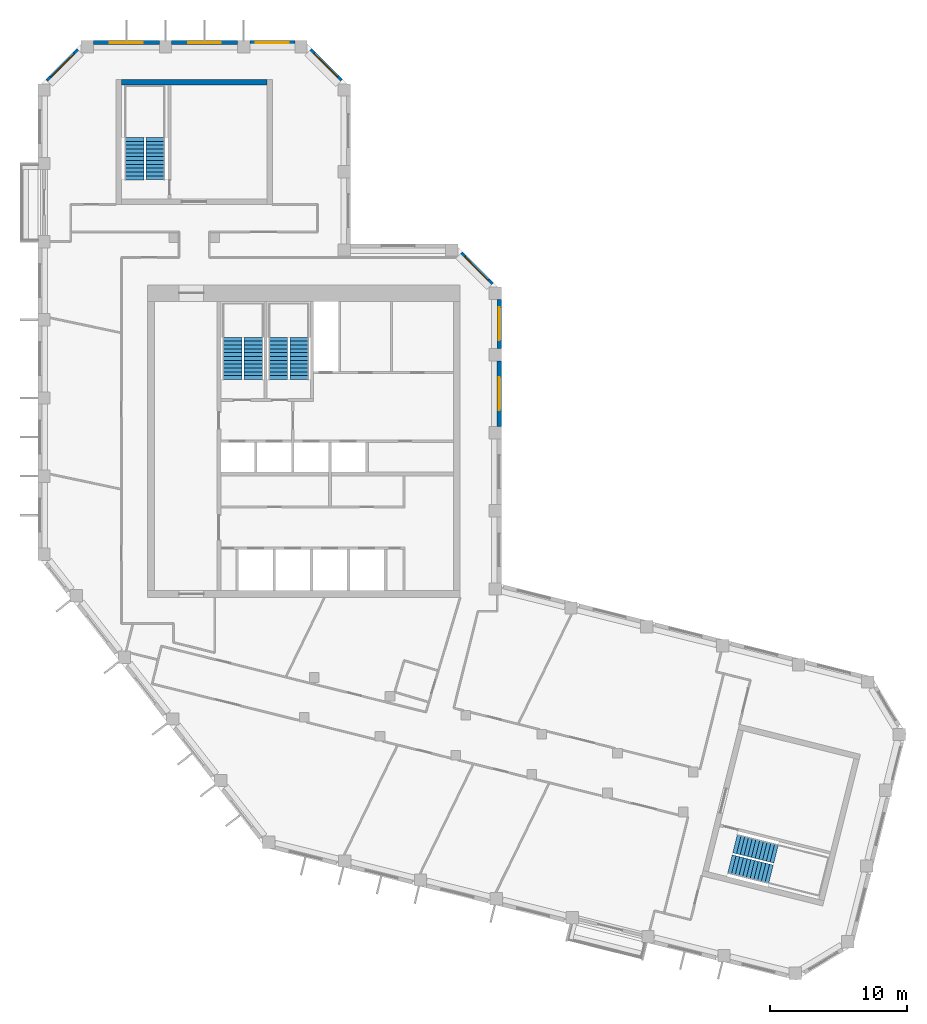
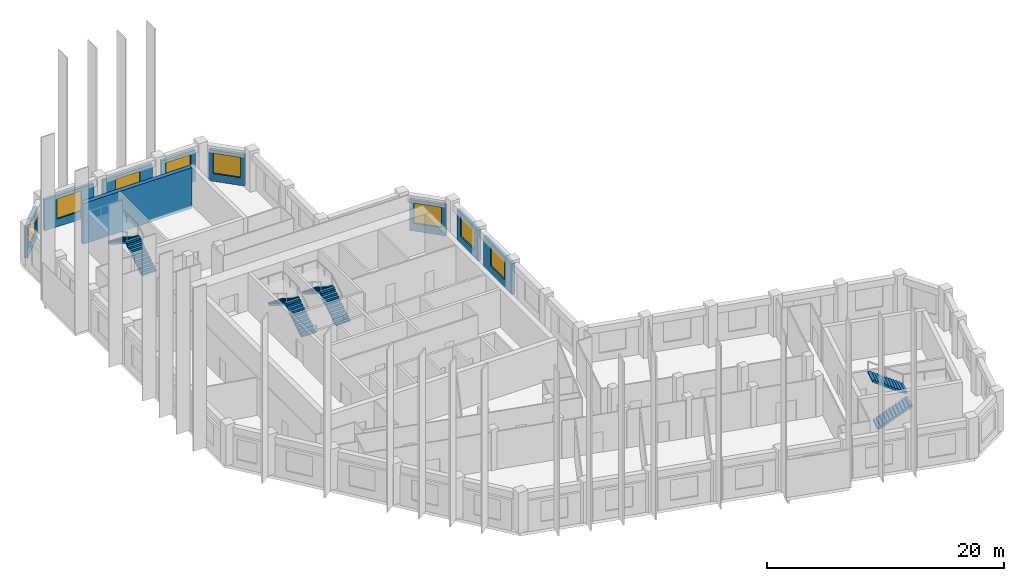
# One storey, part 7 of 8: 9 walls, 8 stair flights, 8 windows, 8 openings, 4 elements without a shape of their own.
"""IFC4 building model written with IfcOpenShell, lengths in metres."""

import ifcopenshell
import ifcopenshell.guid

model = None  # the IFC model being written
_history = None  # IfcOwnerHistory: only IFC2X3 demands one
_inside = {}  # id of a spatial element -> (the spatial element, [elements in it])
_under = {}  # id of a project, library or spatial element -> (it, [spatial elements below it])
_declared = {}  # id of a project -> (the project, [libraries it declares])
_typed = {}  # id of a type object -> (the type object, [elements of that type])
_made_of = {}  # id of a material, layer set ... -> (it, [elements and type objects made of it])


def new_model(schema):
    """Start an empty IFC model of exactly this schema.

    Asked for "IFC4X3", IfcOpenShell would pick the latest addendum, in which some entities
    have other attributes; the version numbers below select the first issue.
    IFC2X3 requires an IfcOwnerHistory on every rooted entity: one is made here for all.
    """
    global model, _history
    if schema == "IFC4X3":
        model = ifcopenshell.file(schema_version=(4, 3, 0, 0))
    else:
        model = ifcopenshell.file(schema=schema)
    _inside.clear()
    _under.clear()
    _declared.clear()
    _typed.clear()
    _made_of.clear()
    _history = None
    if model.schema == "IFC2X3":
        org = make("IfcOrganization", Name="unknown")
        user = make(
            "IfcPersonAndOrganization",
            ThePerson=make("IfcPerson", FamilyName="unknown"),
            TheOrganization=org,
        )
        app = make(
            "IfcApplication",
            ApplicationDeveloper=org,
            Version="unknown",
            ApplicationFullName="unknown",
            ApplicationIdentifier="unknown",
        )
        _history = make(
            "IfcOwnerHistory",
            OwningUser=user,
            OwningApplication=app,
            ChangeAction="ADDED",
            CreationDate=0,
        )
    return model


def make(cls, **values):
    """One entity of the class cls with the attributes given. An attribute that is None is left unset."""
    return model.create_entity(
        cls, **{name: value for name, value in values.items() if value is not None}
    )


def rooted(cls, **values):
    """An entity with a GlobalId (a new one), such as an element, a storey or a relation."""
    return make(cls, GlobalId=ifcopenshell.guid.new(), OwnerHistory=_history, **values)


def si_unit(unit_type, name, prefix=None):
    """IfcSIUnit, for example si_unit("LENGTHUNIT", "METRE", prefix="MILLI")."""
    return make("IfcSIUnit", UnitType=unit_type, Prefix=prefix, Name=name)


def assignment(units):
    """IfcUnitAssignment: the units of a project."""
    return None if units is None else make("IfcUnitAssignment", Units=units)


def point(xyz):
    """IfcCartesianPoint."""
    return None if xyz is None else make("IfcCartesianPoint", Coordinates=xyz)


def direction(xyz):
    """IfcDirection."""
    return None if xyz is None else make("IfcDirection", DirectionRatios=xyz)


def frame(location, z_axis=None, x_axis=None):
    """IfcAxis2Placement3D, a coordinate frame: its origin and axes. An axis left out is left unset."""
    return make(
        "IfcAxis2Placement3D",
        Location=point(location),
        Axis=direction(z_axis),
        RefDirection=direction(x_axis),
    )


def frame_2d(location, x_axis=None):
    """IfcAxis2Placement2D, a coordinate frame in the plane: its origin and x axis."""
    return make(
        "IfcAxis2Placement2D", Location=point(location), RefDirection=direction(x_axis)
    )


def origin():
    """The frame at (0, 0, 0) with its axes left unset."""
    return frame((0.0, 0.0, 0.0))


def place(relative_to, where):
    """IfcLocalPlacement: puts the frame where relative to a parent placement (None: the world)."""
    return make(
        "IfcLocalPlacement", PlacementRelTo=relative_to, RelativePlacement=where
    )


def context(
    kind, dimensions, precision=None, world=None, true_north=None, identifier=None
):
    """IfcGeometricRepresentationContext, for example the 3D "Model" context."""
    return make(
        "IfcGeometricRepresentationContext",
        ContextIdentifier=identifier,
        ContextType=kind,
        CoordinateSpaceDimension=dimensions,
        Precision=precision,
        WorldCoordinateSystem=world,
        TrueNorth=true_north,
    )


def subcontext(parent, identifier, kind, view, scale=None):
    """IfcGeometricRepresentationSubContext, for example "Body" below "Model"."""
    return make(
        "IfcGeometricRepresentationSubContext",
        ContextIdentifier=identifier,
        ContextType=kind,
        ParentContext=parent,
        TargetScale=scale,
        TargetView=view,
    )


def project(units=None, contexts=None):
    """IfcProject with its units and contexts."""
    return rooted(
        "IfcProject",
        Name="project",
        RepresentationContexts=contexts,
        UnitsInContext=assignment(units),
    )


def spatial(cls, under=None, at=None, **own):
    """A site, building, storey or space (cls), placed at a placement, below another one or the project."""
    s = rooted(cls, ObjectPlacement=at, **own)
    if under is not None:
        _under.setdefault(under.id(), (under, []))[1].append(s)
    return s


def polyline(points):
    """IfcPolyline through the points."""
    return make("IfcPolyline", Points=[point(p) for p in points])


def profile(cls, at=None, kind="AREA", **sizes):
    """A parametric profile (cls). Its sizes go by their IFC names, for example OverallWidth=200.0."""
    return make(cls, ProfileType=kind, Position=at, **sizes)


def rectangle(**sizes):
    """IfcRectangleProfileDef."""
    return profile("IfcRectangleProfileDef", **sizes)


def outline(outer, holes=None, kind="AREA"):
    """IfcArbitraryClosedProfileDef: a profile drawn as a closed curve; with holes, ...WithVoids."""
    if holes is None:
        return make("IfcArbitraryClosedProfileDef", ProfileType=kind, OuterCurve=outer)
    return make(
        "IfcArbitraryProfileDefWithVoids",
        ProfileType=kind,
        OuterCurve=outer,
        InnerCurves=holes,
    )


def extrude(swept, where, along, depth):
    """IfcExtrudedAreaSolid: the profile swept, set in the frame where, extruded along a direction by depth."""
    return make(
        "IfcExtrudedAreaSolid",
        SweptArea=swept,
        Position=where,
        ExtrudedDirection=direction(along),
        Depth=depth,
    )


def shape(context_of_items, identifier, shape_type, items):
    """IfcShapeRepresentation: the items that make up one representation, for example the "Body"."""
    return make(
        "IfcShapeRepresentation",
        ContextOfItems=context_of_items,
        RepresentationIdentifier=identifier,
        RepresentationType=shape_type,
        Items=items,
    )


def material(Name=None, Category=None):
    """IfcMaterial."""
    return make("IfcMaterial", Name=Name, Category=Category)


def layer(
    of_material, thickness, ventilated=None, Name=None, Category=None, Priority=None
):
    """IfcMaterialLayer: one layer of a wall or slab, of a material (None: an air gap)."""
    return make(
        "IfcMaterialLayer",
        Material=of_material,
        LayerThickness=thickness,
        IsVentilated=ventilated,
        Name=Name,
        Category=Category,
        Priority=Priority,
    )


def layer_set(layers, Name=None):
    """IfcMaterialLayerSet."""
    return make("IfcMaterialLayerSet", MaterialLayers=layers, LayerSetName=Name)


def made_of(thing, what):
    """Note that an element or type object is made of a material, layer set ...; save() writes the relation."""
    if what is not None:
        _made_of.setdefault(what.id(), (what, []))[1].append(thing)
    return thing


def type_object(cls, material=None, **own):
    """A type object (cls), such as IfcWallType, which elements share."""
    return made_of(rooted(cls, **own), material)


def element(
    cls,
    number,
    at=None,
    inside=None,
    cuts=None,
    type_object=None,
    material=None,
    context=None,
    identifier="Body",
    shape_type=None,
    held_by="IfcProductDefinitionShape",
    body=None,
    shapes=None,
    **own,
):
    """One element of the class cls, such as IfcWall. Its Tag is "e" and its number.

    at: its placement. inside: the storey or other place that contains it. cuts: it is an
    opening in that element (IfcRelVoidsElement). A single representation is given by context,
    identifier, shape_type and body (its items); several are given by shapes. held_by: the class
    of the entity that holds the representations. save() writes the other relations.
    """
    e = rooted(cls, Tag="e%d" % number, ObjectPlacement=at, **own)
    if body is not None:
        shapes = [shape(context, identifier, shape_type, body)]
    if shapes is not None:
        e.Representation = make(held_by, Representations=shapes)
    if inside is not None:
        _inside.setdefault(inside.id(), (inside, []))[1].append(e)
    if cuts is not None:
        rooted(
            "IfcRelVoidsElement", RelatingBuildingElement=cuts, RelatedOpeningElement=e
        )
    if type_object is not None:
        _typed.setdefault(type_object.id(), (type_object, []))[1].append(e)
    return made_of(e, material)


def fill(opening, filler):
    """IfcRelFillsElement: the door or window that sits in an opening."""
    return rooted(
        "IfcRelFillsElement",
        RelatingOpeningElement=opening,
        RelatedBuildingElement=filler,
    )


def aggregate(whole, parts):
    """IfcRelAggregates: a whole, such as a stair, and the parts it consists of."""
    return rooted("IfcRelAggregates", RelatingObject=whole, RelatedObjects=parts)


def save(model, path):
    """Write the relations noted so far, then the file.

    IfcRelAggregates (storeys below a building ...), IfcRelContainedInSpatialStructure (elements
    in a storey), IfcRelDefinesByType, IfcRelAssociatesMaterial and IfcRelDeclares: one each for
    every whole, place, type object, material and project.
    """
    for whole, parts in _under.values():
        aggregate(whole, parts)
    for where, things in _inside.values():
        rooted(
            "IfcRelContainedInSpatialStructure",
            RelatedElements=things,
            RelatingStructure=where,
        )
    for kind, things in _typed.values():
        rooted("IfcRelDefinesByType", RelatedObjects=things, RelatingType=kind)
    for what, things in _made_of.values():
        rooted("IfcRelAssociatesMaterial", RelatedObjects=things, RelatingMaterial=what)
    for by, libraries in _declared.values():
        rooted("IfcRelDeclares", RelatingContext=by, RelatedDefinitions=libraries)
    model.write(path)


model = new_model("IFC4")

# Units and contexts
model_context = context("Model", 3, precision=1e-05, world=origin(), true_north=direction((0.0, 1.0)))
body_context = subcontext(model_context, "Body", "Model", "MODEL_VIEW")
ifc_project = project(units=[si_unit("LENGTHUNIT", "METRE"), si_unit("AREAUNIT", "SQUARE_METRE"), si_unit("VOLUMEUNIT", "CUBIC_METRE"), si_unit("PLANEANGLEUNIT", "RADIAN"), si_unit("MASSUNIT", "GRAM", prefix="KILO")], contexts=[model_context])

# Site, building, storey
site_placement = place(None, origin())
site = spatial("IfcSite", under=ifc_project, at=site_placement, CompositionType="ELEMENT")
building_placement = place(site_placement, origin())
building = spatial("IfcBuilding", under=site, at=building_placement, Name="Meshkara Civic Tower", CompositionType="ELEMENT")
storey_placement = place(building_placement, frame((0.0, 0.0, 370.800048828125)))
storey = spatial("IfcBuildingStorey", under=building, at=storey_placement, Name="L85", CompositionType="ELEMENT", Elevation=370.800048828125)

# Wall, opening, window
ifc_material_1 = material(Name="Insulated infill panel with bronze anodised aluminium cladding", Category="aluminium")
ifc_layer_1 = layer(ifc_material_1, 0.300048828125)
ifc_layer_set_1 = layer_set([ifc_layer_1], Name="EXTERNAL INFILL WALL 300")
wall_type_1 = type_object("IfcWallType", Name="EXTERNAL INFILL WALL 300", PredefinedType="SOLIDWALL", material=ifc_layer_set_1)
wall_1_placement = place(storey_placement, frame((33.64990234375, 26.569091796875, 0.0), z_axis=(0.0, 0.0, 1.0), x_axis=(0.0, 1.0, 0.0)))
wall_1 = element("IfcWall", 1, at=wall_1_placement, inside=storey, type_object=wall_type_1, Name="External wall", PredefinedType="SOLIDWALL", context=body_context, shape_type="SweptSolid", body=[
    extrude(rectangle(XDim=4.7998046875, YDim=0.300048828125, at=frame_2d((2.39990234375, 0.0))), origin(), (0.0, 0.0, 1.0), 3.199951171875),
])
opening_1_placement = place(wall_1_placement, frame((1.199951171875, 0.0, 0.800048828125)))
opening_1 = element("IfcOpeningElement", 2, at=opening_1_placement, cuts=wall_1, Name="Opening W7", PredefinedType="OPENING", context=body_context, shape_type="SweptSolid", body=[
    extrude(rectangle(XDim=2.39990234375, YDim=2.10009765625, at=frame_2d((1.199951171875, 1.050048828125))), frame((0.0, 0.159912109375, 0.0), z_axis=(0.0, -1.0, 0.0), x_axis=(1.0, 0.0, 0.0)), (0.0, 0.0, 1.0), 0.320068359375),
])
ifc_material_2 = material(Name="Tinted double glazing", Category="glass")
window_type = type_object("IfcWindowType", Name="WINDOW 2400x2100", PartitioningType="DOUBLE_PANEL_VERTICAL", PredefinedType="WINDOW", material=ifc_material_2)
window_1_placement = place(opening_1_placement, origin())
window_1 = element("IfcWindow", 3, at=window_1_placement, inside=storey, type_object=window_type, Name="Window", OverallHeight=2.10009765625, OverallWidth=2.39990234375, PartitioningType="DOUBLE_PANEL_VERTICAL", PredefinedType="WINDOW", context=body_context, shape_type="SweptSolid", body=[
    extrude(rectangle(XDim=2.39990234375, YDim=2.10009765625, at=frame_2d((1.199951171875, 1.050048828125))), frame((0.0, 0.030029296875, 0.0), z_axis=(0.0, -1.0, 0.0), x_axis=(1.0, 0.0, 0.0)), (0.0, 0.0, 1.0), 0.06005859375),
])
fill(opening_1, window_1)

wall_2_placement = place(storey_placement, frame((33.64990234375, 32.26904296875, 0.0), z_axis=(0.0, 0.0, 1.0), x_axis=(0.0, 1.0, 0.0)))
wall_2 = element("IfcWall", 4, at=wall_2_placement, inside=storey, type_object=wall_type_1, Name="External wall", PredefinedType="SOLIDWALL", context=body_context, shape_type="SweptSolid", body=[
    extrude(rectangle(XDim=3.574951171875, YDim=0.300048828125, at=frame_2d((1.78759765625, 0.0))), origin(), (0.0, 0.0, 1.0), 3.199951171875),
])
opening_2_placement = place(wall_2_placement, frame((0.587890625, 0.0, 0.800048828125)))
opening_2 = element("IfcOpeningElement", 5, at=opening_2_placement, cuts=wall_2, Name="Opening W7", PredefinedType="OPENING", context=body_context, shape_type="SweptSolid", body=[
    extrude(rectangle(XDim=2.39990234375, YDim=2.10009765625, at=frame_2d((1.199951171875, 1.050048828125))), frame((0.0, 0.159912109375, 0.0), z_axis=(0.0, -1.0, 0.0), x_axis=(1.0, 0.0, 0.0)), (0.0, 0.0, 1.0), 0.320068359375),
])
window_2_placement = place(opening_2_placement, origin())
window_2 = element("IfcWindow", 6, at=window_2_placement, inside=storey, type_object=window_type, Name="Window", OverallHeight=2.10009765625, OverallWidth=2.39990234375, PartitioningType="DOUBLE_PANEL_VERTICAL", PredefinedType="WINDOW", context=body_context, shape_type="SweptSolid", body=[
    extrude(rectangle(XDim=2.39990234375, YDim=2.10009765625, at=frame_2d((1.199951171875, 1.050048828125))), frame((0.0, 0.030029296875, 0.0), z_axis=(0.0, -1.0, 0.0), x_axis=(1.0, 0.0, 0.0)), (0.0, 0.0, 1.0), 0.06005859375),
])
fill(opening_2, window_2)

wall_3_placement = place(storey_placement, frame((33.112060546875, 36.9560546875, 0.0), z_axis=(0.0, 0.0, 1.0), x_axis=(-0.707145041435, 0.707068518868, 0.0)))
wall_3 = element("IfcWall", 7, at=wall_3_placement, inside=storey, type_object=wall_type_1, Name="External wall", PredefinedType="SOLIDWALL", context=body_context, shape_type="SweptSolid", body=[
    extrude(rectangle(XDim=3.1904296875, YDim=0.300048828125, at=frame_2d((1.59521484375, 0.0))), origin(), (0.0, 0.0, 1.0), 3.199951171875),
])
opening_3_placement = place(wall_3_placement, frame((0.39501953125, 0.0, 0.800048828125)))
opening_3 = element("IfcOpeningElement", 8, at=opening_3_placement, cuts=wall_3, Name="Opening W7", PredefinedType="OPENING", context=body_context, shape_type="SweptSolid", body=[
    extrude(rectangle(XDim=2.39990234375, YDim=2.10009765625, at=frame_2d((1.199951171875, 1.050048828125))), frame((0.0, 0.159912109375, 0.0), z_axis=(0.0, -1.0, 0.0), x_axis=(1.0, 0.0, 0.0)), (0.0, 0.0, 1.0), 0.320068359375),
])
window_3_placement = place(opening_3_placement, origin())
window_3 = element("IfcWindow", 9, at=window_3_placement, inside=storey, type_object=window_type, Name="Window", OverallHeight=2.10009765625, OverallWidth=2.39990234375, PartitioningType="DOUBLE_PANEL_VERTICAL", PredefinedType="WINDOW", context=body_context, shape_type="SweptSolid", body=[
    extrude(rectangle(XDim=2.39990234375, YDim=2.10009765625, at=frame_2d((1.199951171875, 1.050048828125))), frame((0.0, 0.030029296875, 0.0), z_axis=(0.0, -1.0, 0.0), x_axis=(1.0, 0.0, 0.0)), (0.0, 0.0, 1.0), 0.06005859375),
])
fill(opening_3, window_3)

wall_4_placement = place(storey_placement, frame((22.112060546875, 51.77587890625, 0.0), z_axis=(0.0, 0.0, 1.0), x_axis=(-0.707106781187, 0.707106781187, 0.0)))
wall_4 = element("IfcWall", 10, at=wall_4_placement, inside=storey, type_object=wall_type_1, Name="External wall", PredefinedType="SOLIDWALL", context=body_context, shape_type="SweptSolid", body=[
    extrude(rectangle(XDim=3.190673828125, YDim=0.300048828125, at=frame_2d((1.59521484375, 0.0))), origin(), (0.0, 0.0, 1.0), 3.199951171875),
])
opening_4_placement = place(wall_4_placement, frame((0.39501953125, 0.0, 0.800048828125)))
opening_4 = element("IfcOpeningElement", 11, at=opening_4_placement, cuts=wall_4, Name="Opening W7", PredefinedType="OPENING", context=body_context, shape_type="SweptSolid", body=[
    extrude(rectangle(XDim=2.39990234375, YDim=2.10009765625, at=frame_2d((1.199951171875, 1.050048828125))), frame((0.0, 0.159912109375, 0.0), z_axis=(0.0, -1.0, 0.0), x_axis=(1.0, 0.0, 0.0)), (0.0, 0.0, 1.0), 0.320068359375),
])
window_4_placement = place(opening_4_placement, origin())
window_4 = element("IfcWindow", 12, at=window_4_placement, inside=storey, type_object=window_type, Name="Window", OverallHeight=2.10009765625, OverallWidth=2.39990234375, PartitioningType="DOUBLE_PANEL_VERTICAL", PredefinedType="WINDOW", context=body_context, shape_type="SweptSolid", body=[
    extrude(rectangle(XDim=2.39990234375, YDim=2.10009765625, at=frame_2d((1.199951171875, 1.050048828125))), frame((0.0, 0.030029296875, 0.0), z_axis=(0.0, -1.0, 0.0), x_axis=(1.0, 0.0, 0.0)), (0.0, 0.0, 1.0), 0.06005859375),
])
fill(opening_4, window_4)

wall_5_placement = place(storey_placement, frame((18.743896484375, 54.570068359375, 0.0), z_axis=(0.0, 0.0, 1.0), x_axis=(-1.0, 0.0, 0.0)))
wall_5 = element("IfcWall", 13, at=wall_5_placement, inside=storey, type_object=wall_type_1, Name="External wall", PredefinedType="SOLIDWALL", context=body_context, shape_type="SweptSolid", body=[
    extrude(rectangle(XDim=3.287841796875, YDim=0.300048828125, at=frame_2d((1.64404296875, 0.0))), origin(), (0.0, 0.0, 1.0), 3.199951171875),
])
opening_5_placement = place(wall_5_placement, frame((0.444091796875, 0.0, 0.800048828125)))
opening_5 = element("IfcOpeningElement", 14, at=opening_5_placement, cuts=wall_5, Name="Opening W7", PredefinedType="OPENING", context=body_context, shape_type="SweptSolid", body=[
    extrude(rectangle(XDim=2.39990234375, YDim=2.10009765625, at=frame_2d((1.199951171875, 1.050048828125))), frame((0.0, 0.159912109375, 0.0), z_axis=(0.0, -1.0, 0.0), x_axis=(1.0, 0.0, 0.0)), (0.0, 0.0, 1.0), 0.320068359375),
])
window_5_placement = place(opening_5_placement, origin())
window_5 = element("IfcWindow", 15, at=window_5_placement, inside=storey, type_object=window_type, Name="Window", OverallHeight=2.10009765625, OverallWidth=2.39990234375, PartitioningType="DOUBLE_PANEL_VERTICAL", PredefinedType="WINDOW", context=body_context, shape_type="SweptSolid", body=[
    extrude(rectangle(XDim=2.39990234375, YDim=2.10009765625, at=frame_2d((1.199951171875, 1.050048828125))), frame((0.0, 0.030029296875, 0.0), z_axis=(0.0, -1.0, 0.0), x_axis=(1.0, 0.0, 0.0)), (0.0, 0.0, 1.0), 0.06005859375),
])
fill(opening_5, window_5)

wall_6_placement = place(storey_placement, frame((14.555908203125, 54.570068359375, 0.0), z_axis=(0.0, 0.0, 1.0), x_axis=(-1.0, 0.0, 0.0)))
wall_6 = element("IfcWall", 16, at=wall_6_placement, inside=storey, type_object=wall_type_1, Name="External wall", PredefinedType="SOLIDWALL", context=body_context, shape_type="SweptSolid", body=[
    extrude(rectangle(XDim=4.7998046875, YDim=0.300048828125, at=frame_2d((2.39990234375, 0.0))), origin(), (0.0, 0.0, 1.0), 3.199951171875),
])
opening_6_placement = place(wall_6_placement, frame((1.199951171875, 0.0, 0.800048828125)))
opening_6 = element("IfcOpeningElement", 17, at=opening_6_placement, cuts=wall_6, Name="Opening W7", PredefinedType="OPENING", context=body_context, shape_type="SweptSolid", body=[
    extrude(rectangle(XDim=2.39990234375, YDim=2.10009765625, at=frame_2d((1.199951171875, 1.050048828125))), frame((0.0, 0.159912109375, 0.0), z_axis=(0.0, -1.0, 0.0), x_axis=(1.0, 0.0, 0.0)), (0.0, 0.0, 1.0), 0.320068359375),
])
window_6_placement = place(opening_6_placement, origin())
window_6 = element("IfcWindow", 18, at=window_6_placement, inside=storey, type_object=window_type, Name="Window", OverallHeight=2.10009765625, OverallWidth=2.39990234375, PartitioningType="DOUBLE_PANEL_VERTICAL", PredefinedType="WINDOW", context=body_context, shape_type="SweptSolid", body=[
    extrude(rectangle(XDim=2.39990234375, YDim=2.10009765625, at=frame_2d((1.199951171875, 1.050048828125))), frame((0.0, 0.030029296875, 0.0), z_axis=(0.0, -1.0, 0.0), x_axis=(1.0, 0.0, 0.0)), (0.0, 0.0, 1.0), 0.06005859375),
])
fill(opening_6, window_6)

wall_7_placement = place(storey_placement, frame((8.85595703125, 54.570068359375, 0.0), z_axis=(0.0, 0.0, 1.0), x_axis=(-1.0, 0.0, 0.0)))
wall_7 = element("IfcWall", 19, at=wall_7_placement, inside=storey, type_object=wall_type_1, Name="External wall", PredefinedType="SOLIDWALL", context=body_context, shape_type="SweptSolid", body=[
    extrude(rectangle(XDim=4.800048828125, YDim=0.300048828125, at=frame_2d((2.39990234375, 0.0))), origin(), (0.0, 0.0, 1.0), 3.199951171875),
])
opening_7_placement = place(wall_7_placement, frame((1.199951171875, 0.0, 0.800048828125)))
opening_7 = element("IfcOpeningElement", 20, at=opening_7_placement, cuts=wall_7, Name="Opening W7", PredefinedType="OPENING", context=body_context, shape_type="SweptSolid", body=[
    extrude(rectangle(XDim=2.39990234375, YDim=2.10009765625, at=frame_2d((1.199951171875, 1.050048828125))), frame((0.0, 0.159912109375, 0.0), z_axis=(0.0, -1.0, 0.0), x_axis=(1.0, 0.0, 0.0)), (0.0, 0.0, 1.0), 0.320068359375),
])
window_7_placement = place(opening_7_placement, origin())
window_7 = element("IfcWindow", 21, at=window_7_placement, inside=storey, type_object=window_type, Name="Window", OverallHeight=2.10009765625, OverallWidth=2.39990234375, PartitioningType="DOUBLE_PANEL_VERTICAL", PredefinedType="WINDOW", context=body_context, shape_type="SweptSolid", body=[
    extrude(rectangle(XDim=2.39990234375, YDim=2.10009765625, at=frame_2d((1.199951171875, 1.050048828125))), frame((0.0, 0.030029296875, 0.0), z_axis=(0.0, -1.0, 0.0), x_axis=(1.0, 0.0, 0.0)), (0.0, 0.0, 1.0), 0.06005859375),
])
fill(opening_7, window_7)

wall_8_placement = place(storey_placement, frame((2.944091796875, 54.031982421875, 0.0), z_axis=(0.0, 0.0, 1.0), x_axis=(-0.707106781187, -0.707106781187, 0.0)))
wall_8 = element("IfcWall", 22, at=wall_8_placement, inside=storey, type_object=wall_type_1, Name="External wall", PredefinedType="SOLIDWALL", context=body_context, shape_type="SweptSolid", body=[
    extrude(rectangle(XDim=3.190673828125, YDim=0.300048828125, at=frame_2d((1.59521484375, 0.0))), origin(), (0.0, 0.0, 1.0), 3.199951171875),
])
opening_8_placement = place(wall_8_placement, frame((0.39501953125, 0.0, 0.800048828125)))
opening_8 = element("IfcOpeningElement", 23, at=opening_8_placement, cuts=wall_8, Name="Opening W7", PredefinedType="OPENING", context=body_context, shape_type="SweptSolid", body=[
    extrude(rectangle(XDim=2.39990234375, YDim=2.10009765625, at=frame_2d((1.199951171875, 1.050048828125))), frame((0.0, 0.159912109375, 0.0), z_axis=(0.0, -1.0, 0.0), x_axis=(1.0, 0.0, 0.0)), (0.0, 0.0, 1.0), 0.320068359375),
])
window_8_placement = place(opening_8_placement, origin())
window_8 = element("IfcWindow", 24, at=window_8_placement, inside=storey, type_object=window_type, Name="Window", OverallHeight=2.10009765625, OverallWidth=2.39990234375, PartitioningType="DOUBLE_PANEL_VERTICAL", PredefinedType="WINDOW", context=body_context, shape_type="SweptSolid", body=[
    extrude(rectangle(XDim=2.39990234375, YDim=2.10009765625, at=frame_2d((1.199951171875, 1.050048828125))), frame((0.0, 0.030029296875, 0.0), z_axis=(0.0, -1.0, 0.0), x_axis=(1.0, 0.0, 0.0)), (0.0, 0.0, 1.0), 0.06005859375),
])
fill(opening_8, window_8)

# Wall
ifc_material_3 = material(Name="Concrete C50", Category="concrete")
ifc_layer_2 = layer(ifc_material_3, 0.39990234375)
ifc_layer_set_2 = layer_set([ifc_layer_2], Name="End core ring wall 400 C50")
wall_type_2 = type_object("IfcWallType", Name="End core ring wall 400 C50", PredefinedType="SHEAR", material=ifc_layer_set_2)
wall_9_placement = place(storey_placement, frame((6.10009765625, 51.669921875, -0.300048828125), z_axis=(0.0, 0.0, 1.0), x_axis=(1.0, 0.0, 0.0)))
element("IfcWall", 25, at=wall_9_placement, inside=storey, type_object=wall_type_2, Name="L85-C030", PredefinedType="SHEAR", context=body_context, shape_type="SweptSolid", body=[
    extrude(rectangle(XDim=10.599853515625, YDim=0.39990234375, at=frame_2d((5.2998046875, 0.0))), origin(), (0.0, 0.0, 1.0), 4.199951171875),
])

# Stair, stair flights
ifc_material_4 = material(Name="Precast concrete C40/50", Category="concrete")
stair_type = type_object("IfcStairType", Name="Exit stair half-turn 24 risers precast", PredefinedType="HALF_TURN_STAIR", material=ifc_material_4)
stair_1_placement = place(storey_placement, origin())
stair_1 = element("IfcStair", 26, at=stair_1_placement, inside=storey, type_object=stair_type, Name="L85 exit stair 1", PredefinedType="HALF_TURN_STAIR")
ifc_material_5 = material(Name="Precast concrete C40/50", Category="concrete")
stair_flight_type = type_object("IfcStairFlightType", Name="Exit stair flight 12 risers precast", PredefinedType="STRAIGHT", material=ifc_material_5)
stair_flight_1_placement = place(storey_placement, frame((15.72509765625, 30.0, 0.0), z_axis=(0.0, 0.0, 1.0), x_axis=(0.0, 1.0, 0.0)))
stair_flight_1 = element("IfcStairFlight", 27, at=stair_flight_1_placement, type_object=stair_flight_type, Name="ST1 flight 1", NumberOfRisers=12, NumberOfTreads=11, PredefinedType="STRAIGHT", RiserHeight=0.175, TreadLength=0.28, context=body_context, shape_type="SweptSolid", body=[
    extrude(outline(polyline([(0.0, 0.0), (0.0, 0.175048828125), (0.280029296875, 0.175048828125), (0.280029296875, 0.35009765625), (0.56005859375, 0.35009765625), (0.56005859375, 0.52490234375), (0.840087890625, 0.52490234375), (0.840087890625, 0.699951171875), (1.1201171875, 0.699951171875), (1.1201171875, 0.875), (1.39990234375, 0.875), (1.39990234375, 1.050048828125), (1.679931640625, 1.050048828125), (1.679931640625, 1.22509765625), (1.9599609375, 1.22509765625), (1.9599609375, 1.39990234375), (2.239990234375, 1.39990234375), (2.239990234375, 1.574951171875), (2.52001953125, 1.574951171875), (2.52001953125, 1.75), (2.800048828125, 1.75), (2.800048828125, 1.925048828125), (3.080078125, 1.925048828125), (3.080078125, 2.10009765625), (3.080078125, 1.748291015625), (0.28271484375, 0.0), (0.0, 0.0)])), frame((0.0, 0.699951171875, 0.0), z_axis=(0.0, -1.0, 0.0), x_axis=(1.0, 0.0, 0.0)), (0.0, 0.0, 1.0), 1.39990234375),
])
stair_flight_2_placement = place(storey_placement, frame((14.175048828125, 33.080078125, 2.099853515625), z_axis=(0.0, 0.0, 1.0), x_axis=(0.0, -1.0, 0.0)))
stair_flight_2 = element("IfcStairFlight", 28, at=stair_flight_2_placement, type_object=stair_flight_type, Name="ST1 flight 2", NumberOfRisers=12, NumberOfTreads=11, PredefinedType="STRAIGHT", RiserHeight=0.175, TreadLength=0.28, context=body_context, shape_type="SweptSolid", body=[
    extrude(outline(polyline([(0.0, 0.0), (0.0, 0.175048828125), (0.280029296875, 0.175048828125), (0.280029296875, 0.35009765625), (0.56005859375, 0.35009765625), (0.56005859375, 0.52490234375), (0.840087890625, 0.52490234375), (0.840087890625, 0.699951171875), (1.1201171875, 0.699951171875), (1.1201171875, 0.875), (1.39990234375, 0.875), (1.39990234375, 1.050048828125), (1.679931640625, 1.050048828125), (1.679931640625, 1.22509765625), (1.9599609375, 1.22509765625), (1.9599609375, 1.39990234375), (2.239990234375, 1.39990234375), (2.239990234375, 1.574951171875), (2.52001953125, 1.574951171875), (2.52001953125, 1.75), (2.800048828125, 1.75), (2.800048828125, 1.925048828125), (3.080078125, 1.925048828125), (3.080078125, 2.10009765625), (3.080078125, 1.748291015625), (0.28271484375, 0.0), (0.0, 0.0)])), frame((0.0, 0.699951171875, 0.0), z_axis=(0.0, -1.0, 0.0), x_axis=(1.0, 0.0, 0.0)), (0.0, 0.0, 1.0), 1.39990234375),
])
aggregate(stair_1, [stair_flight_1, stair_flight_2])

stair_2_placement = place(storey_placement, origin())
stair_2 = element("IfcStair", 29, at=stair_2_placement, inside=storey, type_object=stair_type, Name="L85 exit stair 2", PredefinedType="HALF_TURN_STAIR")
stair_flight_3_placement = place(storey_placement, frame((19.074951171875, 30.0, 0.0), z_axis=(0.0, 0.0, 1.0), x_axis=(0.0, 1.0, 0.0)))
stair_flight_3 = element("IfcStairFlight", 30, at=stair_flight_3_placement, type_object=stair_flight_type, Name="ST2 flight 1", NumberOfRisers=12, NumberOfTreads=11, PredefinedType="STRAIGHT", RiserHeight=0.175, TreadLength=0.28, context=body_context, shape_type="SweptSolid", body=[
    extrude(outline(polyline([(0.0, 0.0), (0.0, 0.175048828125), (0.280029296875, 0.175048828125), (0.280029296875, 0.35009765625), (0.56005859375, 0.35009765625), (0.56005859375, 0.52490234375), (0.840087890625, 0.52490234375), (0.840087890625, 0.699951171875), (1.1201171875, 0.699951171875), (1.1201171875, 0.875), (1.39990234375, 0.875), (1.39990234375, 1.050048828125), (1.679931640625, 1.050048828125), (1.679931640625, 1.22509765625), (1.9599609375, 1.22509765625), (1.9599609375, 1.39990234375), (2.239990234375, 1.39990234375), (2.239990234375, 1.574951171875), (2.52001953125, 1.574951171875), (2.52001953125, 1.75), (2.800048828125, 1.75), (2.800048828125, 1.925048828125), (3.080078125, 1.925048828125), (3.080078125, 2.10009765625), (3.080078125, 1.748291015625), (0.28271484375, 0.0), (0.0, 0.0)])), frame((0.0, 0.699951171875, 0.0), z_axis=(0.0, -1.0, 0.0), x_axis=(1.0, 0.0, 0.0)), (0.0, 0.0, 1.0), 1.39990234375),
])
stair_flight_4_placement = place(storey_placement, frame((17.52490234375, 33.080078125, 2.099853515625), z_axis=(0.0, 0.0, 1.0), x_axis=(0.0, -1.0, 0.0)))
stair_flight_4 = element("IfcStairFlight", 31, at=stair_flight_4_placement, type_object=stair_flight_type, Name="ST2 flight 2", NumberOfRisers=12, NumberOfTreads=11, PredefinedType="STRAIGHT", RiserHeight=0.175, TreadLength=0.28, context=body_context, shape_type="SweptSolid", body=[
    extrude(outline(polyline([(0.0, 0.0), (0.0, 0.175048828125), (0.280029296875, 0.175048828125), (0.280029296875, 0.35009765625), (0.56005859375, 0.35009765625), (0.56005859375, 0.52490234375), (0.840087890625, 0.52490234375), (0.840087890625, 0.699951171875), (1.1201171875, 0.699951171875), (1.1201171875, 0.875), (1.39990234375, 0.875), (1.39990234375, 1.050048828125), (1.679931640625, 1.050048828125), (1.679931640625, 1.22509765625), (1.9599609375, 1.22509765625), (1.9599609375, 1.39990234375), (2.239990234375, 1.39990234375), (2.239990234375, 1.574951171875), (2.52001953125, 1.574951171875), (2.52001953125, 1.75), (2.800048828125, 1.75), (2.800048828125, 1.925048828125), (3.080078125, 1.925048828125), (3.080078125, 2.10009765625), (3.080078125, 1.748291015625), (0.28271484375, 0.0), (0.0, 0.0)])), frame((0.0, 0.699951171875, 0.0), z_axis=(0.0, -1.0, 0.0), x_axis=(1.0, 0.0, 0.0)), (0.0, 0.0, 1.0), 1.39990234375),
])
aggregate(stair_2, [stair_flight_3, stair_flight_4])

stair_3_placement = place(storey_placement, origin())
stair_3 = element("IfcStair", 32, at=stair_3_placement, inside=storey, type_object=stair_type, Name="L85 exit stair A from L80", PredefinedType="HALF_TURN_STAIR")
stair_flight_5_placement = place(storey_placement, frame((8.574951171875, 44.570068359375, 0.0), z_axis=(0.0, 0.0, 1.0), x_axis=(0.0, 1.0, 0.0)))
stair_flight_5 = element("IfcStairFlight", 33, at=stair_flight_5_placement, type_object=stair_flight_type, Name="ESA6 flight 1", NumberOfRisers=12, NumberOfTreads=11, PredefinedType="STRAIGHT", RiserHeight=0.175, TreadLength=0.28, context=body_context, shape_type="SweptSolid", body=[
    extrude(outline(polyline([(0.0, 0.0), (0.0, 0.175048828125), (0.280029296875, 0.175048828125), (0.280029296875, 0.35009765625), (0.56005859375, 0.35009765625), (0.56005859375, 0.52490234375), (0.840087890625, 0.52490234375), (0.840087890625, 0.699951171875), (1.1201171875, 0.699951171875), (1.1201171875, 0.875), (1.39990234375, 0.875), (1.39990234375, 1.050048828125), (1.679931640625, 1.050048828125), (1.679931640625, 1.22509765625), (1.9599609375, 1.22509765625), (1.9599609375, 1.39990234375), (2.239990234375, 1.39990234375), (2.239990234375, 1.574951171875), (2.52001953125, 1.574951171875), (2.52001953125, 1.75), (2.800048828125, 1.75), (2.800048828125, 1.925048828125), (3.080078125, 1.925048828125), (3.080078125, 2.10009765625), (3.080078125, 1.748291015625), (0.28271484375, 0.0), (0.0, 0.0)])), frame((0.0, 0.699951171875, 0.0), z_axis=(0.0, -1.0, 0.0), x_axis=(1.0, 0.0, 0.0)), (0.0, 0.0, 1.0), 1.39990234375),
])
stair_flight_6_placement = place(storey_placement, frame((7.02490234375, 47.64990234375, 2.099853515625), z_axis=(0.0, 0.0, 1.0), x_axis=(0.0, -1.0, 0.0)))
stair_flight_6 = element("IfcStairFlight", 34, at=stair_flight_6_placement, type_object=stair_flight_type, Name="ESA6 flight 2", NumberOfRisers=12, NumberOfTreads=11, PredefinedType="STRAIGHT", RiserHeight=0.175, TreadLength=0.28, context=body_context, shape_type="SweptSolid", body=[
    extrude(outline(polyline([(0.0, 0.0), (0.0, 0.175048828125), (0.280029296875, 0.175048828125), (0.280029296875, 0.35009765625), (0.56005859375, 0.35009765625), (0.56005859375, 0.52490234375), (0.840087890625, 0.52490234375), (0.840087890625, 0.699951171875), (1.1201171875, 0.699951171875), (1.1201171875, 0.875), (1.39990234375, 0.875), (1.39990234375, 1.050048828125), (1.679931640625, 1.050048828125), (1.679931640625, 1.22509765625), (1.9599609375, 1.22509765625), (1.9599609375, 1.39990234375), (2.239990234375, 1.39990234375), (2.239990234375, 1.574951171875), (2.52001953125, 1.574951171875), (2.52001953125, 1.75), (2.800048828125, 1.75), (2.800048828125, 1.925048828125), (3.080078125, 1.925048828125), (3.080078125, 2.10009765625), (3.080078125, 1.748291015625), (0.28271484375, 0.0), (0.0, 0.0)])), frame((0.0, 0.699951171875, 0.0), z_axis=(0.0, -1.0, 0.0), x_axis=(1.0, 0.0, 0.0)), (0.0, 0.0, 1.0), 1.39990234375),
])
aggregate(stair_3, [stair_flight_5, stair_flight_6])

stair_4_placement = place(storey_placement, origin())
stair_4 = element("IfcStair", 35, at=stair_4_placement, inside=storey, type_object=stair_type, Name="L85 exit stair B from L80", PredefinedType="HALF_TURN_STAIR")
stair_flight_7_placement = place(storey_placement, frame((50.47607421875, -5.344482421875, 0.0), z_axis=(0.0, 0.0, 1.0), x_axis=(0.9703185901, -0.241830175344, 0.0)))
stair_flight_7 = element("IfcStairFlight", 36, at=stair_flight_7_placement, type_object=stair_flight_type, Name="ESB6 flight 1", NumberOfRisers=12, NumberOfTreads=11, PredefinedType="STRAIGHT", RiserHeight=0.175, TreadLength=0.28, context=body_context, shape_type="SweptSolid", body=[
    extrude(outline(polyline([(0.0, 0.0), (0.0, 0.175048828125), (0.280029296875, 0.175048828125), (0.280029296875, 0.35009765625), (0.56005859375, 0.35009765625), (0.56005859375, 0.52490234375), (0.840087890625, 0.52490234375), (0.840087890625, 0.699951171875), (1.1201171875, 0.699951171875), (1.1201171875, 0.875), (1.39990234375, 0.875), (1.39990234375, 1.050048828125), (1.679931640625, 1.050048828125), (1.679931640625, 1.22509765625), (1.9599609375, 1.22509765625), (1.9599609375, 1.39990234375), (2.239990234375, 1.39990234375), (2.239990234375, 1.574951171875), (2.52001953125, 1.574951171875), (2.52001953125, 1.75), (2.800048828125, 1.75), (2.800048828125, 1.925048828125), (3.080078125, 1.925048828125), (3.080078125, 2.10009765625), (3.080078125, 1.748291015625), (0.28271484375, 0.0), (0.0, 0.0)])), frame((0.0, 0.699951171875, 0.0), z_axis=(0.0, -1.0, 0.0), x_axis=(1.0, 0.0, 0.0)), (0.0, 0.0, 1.0), 1.39990234375),
])
stair_flight_8_placement = place(storey_placement, frame((53.83935546875, -4.58544921875, 2.099853515625), z_axis=(0.0, 0.0, 1.0), x_axis=(-0.9703185901, 0.241830175344, 0.0)))
stair_flight_8 = element("IfcStairFlight", 37, at=stair_flight_8_placement, type_object=stair_flight_type, Name="ESB6 flight 2", NumberOfRisers=12, NumberOfTreads=11, PredefinedType="STRAIGHT", RiserHeight=0.175, TreadLength=0.28, context=body_context, shape_type="SweptSolid", body=[
    extrude(outline(polyline([(0.0, 0.0), (0.0, 0.175048828125), (0.280029296875, 0.175048828125), (0.280029296875, 0.35009765625), (0.56005859375, 0.35009765625), (0.56005859375, 0.52490234375), (0.840087890625, 0.52490234375), (0.840087890625, 0.699951171875), (1.1201171875, 0.699951171875), (1.1201171875, 0.875), (1.39990234375, 0.875), (1.39990234375, 1.050048828125), (1.679931640625, 1.050048828125), (1.679931640625, 1.22509765625), (1.9599609375, 1.22509765625), (1.9599609375, 1.39990234375), (2.239990234375, 1.39990234375), (2.239990234375, 1.574951171875), (2.52001953125, 1.574951171875), (2.52001953125, 1.75), (2.800048828125, 1.75), (2.800048828125, 1.925048828125), (3.080078125, 1.925048828125), (3.080078125, 2.10009765625), (3.080078125, 1.748291015625), (0.28271484375, 0.0), (0.0, 0.0)])), frame((0.0, 0.699951171875, 0.0), z_axis=(0.0, -1.0, 0.0), x_axis=(1.0, 0.0, 0.0)), (0.0, 0.0, 1.0), 1.39990234375),
])
aggregate(stair_4, [stair_flight_7, stair_flight_8])

save(model, "model.ifc")
